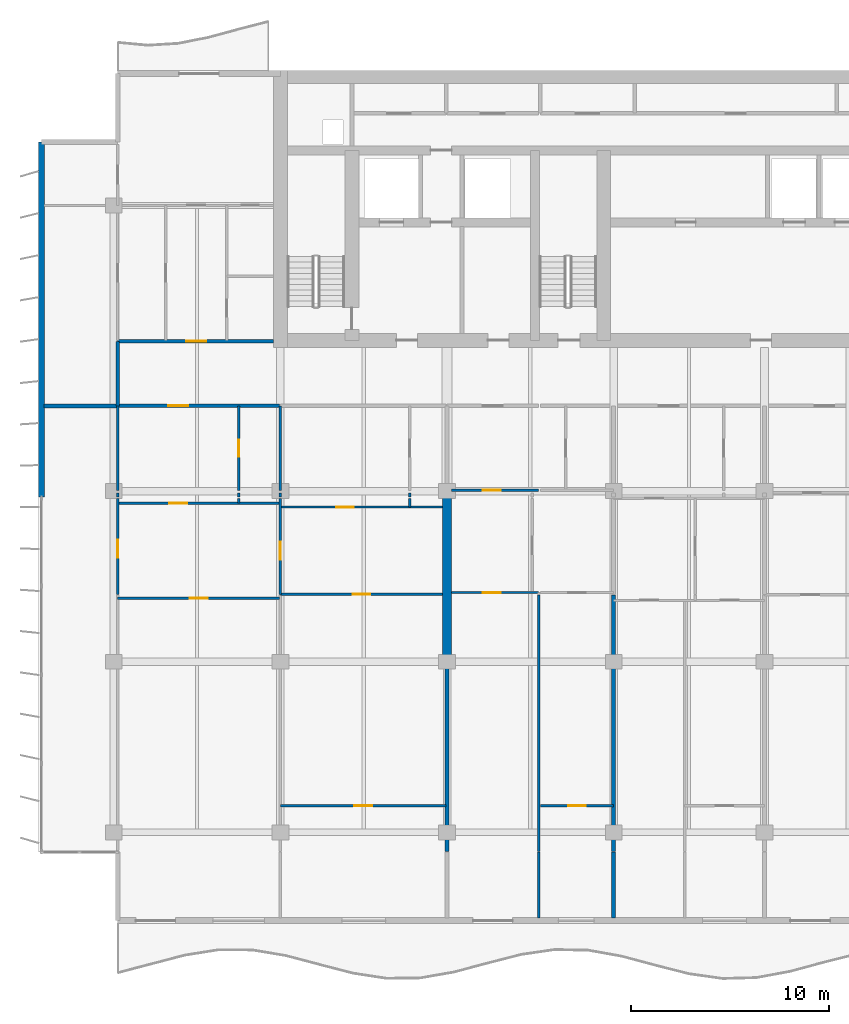
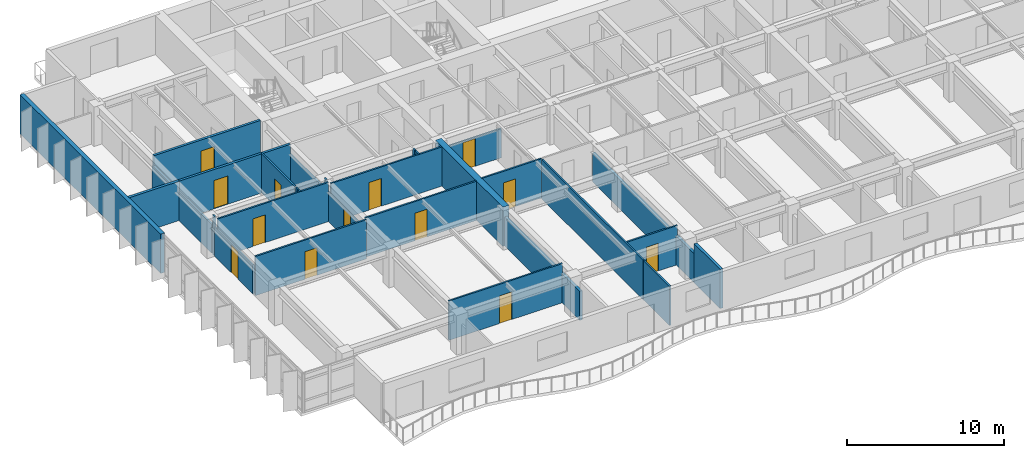
# One storey, part 7 of 18: 30 walls, 13 doors, 13 openings.
"""IFC4 building model written with IfcOpenShell, lengths in metres."""

from ifc_helpers import new_model, si_unit, direction, frame, frame_2d, origin, place, context, subcontext, project, spatial, rectangle, extrude, material, layer, layer_set, type_object, element, fill, save


model = new_model("IFC4")

# Units and contexts
model_context = context("Model", 3, precision=1e-05, world=origin(), true_north=direction((0.0, 1.0)))
body_context = subcontext(model_context, "Body", "Model", "MODEL_VIEW")
ifc_project = project(units=[si_unit("LENGTHUNIT", "METRE"), si_unit("AREAUNIT", "SQUARE_METRE"), si_unit("VOLUMEUNIT", "CUBIC_METRE"), si_unit("PLANEANGLEUNIT", "RADIAN"), si_unit("MASSUNIT", "GRAM", prefix="KILO")], contexts=[model_context])

# Site, building, storey
site_placement = place(None, origin())
site = spatial("IfcSite", under=ifc_project, at=site_placement, CompositionType="ELEMENT")
building_placement = place(site_placement, origin())
building = spatial("IfcBuilding", under=site, at=building_placement, Name="Caelmar Bay Residences", CompositionType="ELEMENT")
storey_placement = place(building_placement, frame((0.0, 0.0, 170.39990234375)))
storey = spatial("IfcBuildingStorey", under=building, at=storey_placement, Name="L47", CompositionType="ELEMENT", Elevation=170.39990234375)

# Walls
ifc_material_1 = material(Name="Concrete f'c 55 MPa (8,000 psi)", Category="concrete")
ifc_layer_1 = layer(ifc_material_1, 0.449951171875)
ifc_layer_set_1 = layer_set([ifc_layer_1], Name="Concrete f'c 55 MPa (8,000 psi)")
wall_type_1 = type_object("IfcWallType", Name="SW-XSLB-450", PredefinedType="SHEAR", material=ifc_layer_set_1)
wall_1_placement = place(storey_placement, frame((26.699951171875, 20.800048828125, 0.0), z_axis=(0.0, 0.0, 1.0), x_axis=(0.0, 1.0, 0.0)))
element("IfcWall", 1, at=wall_1_placement, inside=storey, type_object=wall_type_1, Name="L47 Transverse Cross-Slab Shear Wall W5", PredefinedType="SHEAR", context=body_context, shape_type="SweptSolid", body=[
    extrude(rectangle(XDim=8.599853515625, YDim=0.449951171875, at=frame_2d((4.2998046875, 0.0))), origin(), (0.0, 0.0, 1.0), 3.050048828125),
])
ifc_material_2 = material(Name="Double-stud acoustic fire-rated gypsum partition 180 mm")
ifc_layer_2 = layer(ifc_material_2, 0.179931640625)
ifc_layer_set_2 = layer_set([ifc_layer_2], Name="Double-stud acoustic fire-rated gypsum partition 180 mm")
wall_type_2 = type_object("IfcWallType", Name="W-COR-200", PredefinedType="PARTITIONING", material=ifc_layer_set_2)
wall_2_placement = place(storey_placement, frame((10.10009765625, 33.705078125, 0.0), z_axis=(0.0, 0.0, 1.0), x_axis=(0.0, 1.0, 0.0)))
element("IfcWall", 2, at=wall_2_placement, inside=storey, type_object=wall_type_2, Name="L47 Partition Wall V005", PredefinedType="PARTITIONING", context=body_context, shape_type="SweptSolid", body=[
    extrude(rectangle(XDim=3.244873046875, YDim=0.179931640625, at=frame_2d((1.62255859375, 0.0))), origin(), (0.0, 0.0, 1.0), 2.26318359375),
])

# Wall, opening, door
wall_3_placement = place(storey_placement, frame((10.10498046875, 33.699951171875, 0.0), z_axis=(0.0, 0.0, 1.0), x_axis=(1.0, 0.0, 0.0)))
wall_3 = element("IfcWall", 3, at=wall_3_placement, inside=storey, type_object=wall_type_2, Name="L47 Partition Wall H114", PredefinedType="PARTITIONING", context=body_context, shape_type="SweptSolid", body=[
    extrude(rectangle(XDim=8.14501953125, YDim=0.179931640625, at=frame_2d((4.072509765625, 0.0))), origin(), (0.0, 0.0, 1.0), 3.050048828125),
])
opening_1_placement = place(wall_3_placement, frame((2.54638671875, 0.0, 0.0)))
opening_1 = element("IfcOpeningElement", 4, at=opening_1_placement, cuts=wall_3, Name="Opening D-L47-123", PredefinedType="OPENING", context=body_context, shape_type="SweptSolid", body=[
    extrude(rectangle(XDim=1.0, YDim=2.199951171875, at=frame_2d((0.5, 1.10009765625))), frame((0.0, 0.099853515625, 0.0), z_axis=(0.0, -1.0, 0.0), x_axis=(1.0, 0.0, 0.0)), (0.0, 0.0, 1.0), 0.199951171875),
])
ifc_material_3 = material(Name="Fire-rated steel and walnut architectural door assembly", Category="steel")
ifc_layer_3 = layer(ifc_material_3, 0.050048828125)
ifc_layer_set_3 = layer_set([ifc_layer_3], Name="Fire-rated steel and walnut architectural door assembly")
door_type_1 = type_object("IfcDoorType", Name="D-UNIT-1000", OperationType="NOTDEFINED", PredefinedType="DOOR", material=ifc_layer_set_3)
door_1_placement = place(opening_1_placement, origin())
door_1 = element("IfcDoor", 5, at=door_1_placement, inside=storey, type_object=door_type_1, Name="L47 Residence 01 Apartment Hall Door", OperationType="SINGLE_SWING_RIGHT", OverallHeight=2.199951171875, OverallWidth=1.0, PredefinedType="DOOR", context=body_context, shape_type="SweptSolid", body=[
    extrude(rectangle(XDim=1.0, YDim=2.199951171875, at=frame_2d((0.5, 1.10009765625))), frame((0.0, 0.02490234375, 0.0), z_axis=(0.0, -1.0, 0.0), x_axis=(1.0, 0.0, 0.0)), (0.0, 0.0, 1.0), 0.050048828125),
])
fill(opening_1, door_1)

wall_4_placement = place(storey_placement, frame((10.10009765625, 36.949951171875, 0.0), z_axis=(0.0, 0.0, 1.0), x_axis=(1.0, 0.0, 0.0)))
wall_4 = element("IfcWall", 6, at=wall_4_placement, inside=storey, type_object=wall_type_2, Name="L47 Partition Wall H120", PredefinedType="PARTITIONING", context=body_context, shape_type="SweptSolid", body=[
    extrude(rectangle(XDim=7.844970703125, YDim=0.179931640625, at=frame_2d((3.92236328125, 0.0))), origin(), (0.0, 0.0, 1.0), 3.050048828125),
])
opening_2_placement = place(wall_4_placement, frame((3.4599609375, 0.0, 0.0)))
opening_2 = element("IfcOpeningElement", 7, at=opening_2_placement, cuts=wall_4, Name="Opening D-L47-166", PredefinedType="OPENING", context=body_context, shape_type="SweptSolid", body=[
    extrude(rectangle(XDim=1.0, YDim=2.199951171875, at=frame_2d((0.5, 1.10009765625))), frame((0.0, 0.099853515625, 0.0), z_axis=(0.0, -1.0, 0.0), x_axis=(1.0, 0.0, 0.0)), (0.0, 0.0, 1.0), 0.199951171875),
])
door_2_placement = place(opening_2_placement, origin())
door_2 = element("IfcDoor", 8, at=door_2_placement, inside=storey, type_object=door_type_1, Name="L47 Residence WA Kitchen Door", OperationType="SINGLE_SWING_LEFT", OverallHeight=2.199951171875, OverallWidth=1.0, PredefinedType="DOOR", context=body_context, shape_type="SweptSolid", body=[
    extrude(rectangle(XDim=1.0, YDim=2.199951171875, at=frame_2d((0.5, 1.10009765625))), frame((0.0, 0.02490234375, 0.0), z_axis=(0.0, -1.0, 0.0), x_axis=(1.0, 0.0, 0.0)), (0.0, 0.0, 1.0), 0.050048828125),
])
fill(opening_2, door_2)

# Wall
ifc_material_4 = material(Name="Precast concrete f'c 40 MPa (6,000 psi)", Category="concrete")
ifc_layer_4 = layer(ifc_material_4, 0.300048828125)
ifc_layer_set_4 = layer_set([ifc_layer_4], Name="Precast concrete f'c 40 MPa (6,000 psi)")
wall_type_3 = type_object("IfcWallType", Name="W-EXT-300", PredefinedType="STANDARD", material=ifc_layer_set_4)
wall_5_placement = place(storey_placement, frame((6.25, 29.10009765625, 0.0), z_axis=(0.0, 0.0, 1.0), x_axis=(0.0, 1.0, 0.0)))
element("IfcWall", 9, at=wall_5_placement, inside=storey, type_object=wall_type_3, Name="L47 West Rear Exterior Wall", PredefinedType="STANDARD", context=body_context, shape_type="SweptSolid", body=[
    extrude(rectangle(XDim=17.89990234375, YDim=0.300048828125, at=frame_2d((8.949951171875, 0.0))), origin(), (0.0, 0.0, 1.0), 3.050048828125),
])

# Wall, opening, door
ifc_material_5 = material(Name="Acoustic metal-stud gypsum partition 120 mm")
ifc_layer_5 = layer(ifc_material_5, 0.1201171875)
ifc_layer_set_5 = layer_set([ifc_layer_5], Name="Acoustic metal-stud gypsum partition 120 mm")
wall_type_4 = type_object("IfcWallType", Name="W-PRT-120", PredefinedType="PARTITIONING", material=ifc_layer_set_5)
wall_6_placement = place(storey_placement, frame((10.10009765625, 24.199951171875, 0.0), z_axis=(0.0, 0.0, 1.0), x_axis=(0.0, 1.0, 0.0)))
wall_6 = element("IfcWall", 10, at=wall_6_placement, inside=storey, type_object=wall_type_4, Name="L47 Partition Wall V002", PredefinedType="PARTITIONING", context=body_context, shape_type="SweptSolid", body=[
    extrude(rectangle(XDim=4.840087890625, YDim=0.1201171875, at=frame_2d((2.419921875, 0.0))), origin(), (0.0, 0.0, 1.0), 2.26318359375),
])
opening_3_placement = place(wall_6_placement, frame((1.85009765625, 0.0, 0.0)))
opening_3 = element("IfcOpeningElement", 11, at=opening_3_placement, cuts=wall_6, Name="Opening D-L47-163", PredefinedType="OPENING", context=body_context, shape_type="SweptSolid", body=[
    extrude(rectangle(XDim=0.89990234375, YDim=2.14990234375, at=frame_2d((0.449951171875, 1.074951171875))), frame((0.0, 0.070068359375, 0.0), z_axis=(0.0, -1.0, 0.0), x_axis=(1.0, 0.0, 0.0)), (0.0, 0.0, 1.0), 0.14013671875),
])
ifc_material_6 = material(Name="Solid walnut timber interior door leaf and frame", Category="wood")
ifc_layer_6 = layer(ifc_material_6, 0.050048828125)
ifc_layer_set_6 = layer_set([ifc_layer_6], Name="Solid walnut timber interior door leaf and frame")
door_type_2 = type_object("IfcDoorType", Name="D-ROOM-900", OperationType="NOTDEFINED", PredefinedType="DOOR", material=ifc_layer_set_6)
door_3_placement = place(opening_3_placement, origin())
door_3 = element("IfcDoor", 12, at=door_3_placement, inside=storey, type_object=door_type_2, Name="L47 Residence 01 Penthouse West Salon Door", OperationType="SINGLE_SWING_RIGHT", OverallHeight=2.14990234375, OverallWidth=0.89990234375, PredefinedType="DOOR", context=body_context, shape_type="SweptSolid", body=[
    extrude(rectangle(XDim=0.89990234375, YDim=2.14990234375, at=frame_2d((0.449951171875, 1.074951171875))), frame((0.0, 0.02490234375, 0.0), z_axis=(0.0, -1.0, 0.0), x_axis=(1.0, 0.0, 0.0)), (0.0, 0.0, 1.0), 0.050048828125),
])
fill(opening_3, door_3)

# Walls
wall_7_placement = place(storey_placement, frame((10.10009765625, 29.10009765625, 0.0), z_axis=(0.0, 0.0, 1.0), x_axis=(0.0, 1.0, 0.0)))
element("IfcWall", 13, at=wall_7_placement, inside=storey, type_object=wall_type_4, Name="L47 Partition Wall V003", PredefinedType="PARTITIONING", context=body_context, shape_type="SweptSolid", body=[
    extrude(rectangle(XDim=0.219970703125, YDim=0.1201171875, at=frame_2d((0.10986328125, 0.0))), origin(), (0.0, 0.0, 1.0), 3.050048828125),
])
wall_8_placement = place(storey_placement, frame((10.10009765625, 29.43994140625, 0.0), z_axis=(0.0, 0.0, 1.0), x_axis=(0.0, 1.0, 0.0)))
element("IfcWall", 14, at=wall_8_placement, inside=storey, type_object=wall_type_4, Name="L47 Partition Wall V004", PredefinedType="PARTITIONING", context=body_context, shape_type="SweptSolid", body=[
    extrude(rectangle(XDim=4.260009765625, YDim=0.1201171875, at=frame_2d((2.1298828125, 0.0))), origin(), (0.0, 0.0, 1.0), 2.26318359375),
])
wall_9_placement = place(storey_placement, frame((16.197998046875, 28.800048828125, 0.0), z_axis=(0.0, 0.0, 1.0), x_axis=(0.0, 1.0, 0.0)))
element("IfcWall", 15, at=wall_9_placement, inside=storey, type_object=wall_type_4, Name="L47 Partition Wall V010", PredefinedType="PARTITIONING", context=body_context, shape_type="SweptSolid", body=[
    extrude(rectangle(XDim=0.239990234375, YDim=0.1201171875, at=frame_2d((0.1201171875, 0.0))), origin(), (0.0, 0.0, 1.0), 3.050048828125),
])
wall_10_placement = place(storey_placement, frame((16.197998046875, 29.10009765625, 0.0), z_axis=(0.0, 0.0, 1.0), x_axis=(0.0, 1.0, 0.0)))
element("IfcWall", 16, at=wall_10_placement, inside=storey, type_object=wall_type_4, Name="L47 Partition Wall V011", PredefinedType="PARTITIONING", context=body_context, shape_type="SweptSolid", body=[
    extrude(rectangle(XDim=0.219970703125, YDim=0.1201171875, at=frame_2d((0.10986328125, 0.0))), origin(), (0.0, 0.0, 1.0), 3.050048828125),
])

# Wall, opening, door
wall_11_placement = place(storey_placement, frame((16.197998046875, 29.43994140625, 0.0), z_axis=(0.0, 0.0, 1.0), x_axis=(0.0, 1.0, 0.0)))
wall_11 = element("IfcWall", 17, at=wall_11_placement, inside=storey, type_object=wall_type_4, Name="L47 Partition Wall V012", PredefinedType="PARTITIONING", context=body_context, shape_type="SweptSolid", body=[
    extrude(rectangle(XDim=4.260009765625, YDim=0.1201171875, at=frame_2d((2.1298828125, 0.0))), origin(), (0.0, 0.0, 1.0), 3.050048828125),
])
opening_4_placement = place(wall_11_placement, frame((1.705078125, 0.0, 0.0)))
opening_4 = element("IfcOpeningElement", 18, at=opening_4_placement, cuts=wall_11, Name="Opening D-L47-124", PredefinedType="OPENING", context=body_context, shape_type="SweptSolid", body=[
    extrude(rectangle(XDim=0.85009765625, YDim=2.10009765625, at=frame_2d((0.425048828125, 1.050048828125))), frame((0.0, 0.070068359375, 0.0), z_axis=(0.0, -1.0, 0.0), x_axis=(1.0, 0.0, 0.0)), (0.0, 0.0, 1.0), 0.14013671875),
])
ifc_layer_7 = layer(ifc_material_6, 0.050048828125)
ifc_layer_set_7 = layer_set([ifc_layer_7], Name="Solid walnut timber interior door leaf and frame")
door_type_3 = type_object("IfcDoorType", Name="D-BATH-850", OperationType="NOTDEFINED", PredefinedType="DOOR", material=ifc_layer_set_7)
door_4_placement = place(opening_4_placement, origin())
door_4 = element("IfcDoor", 19, at=door_4_placement, inside=storey, type_object=door_type_3, Name="L47 Residence 01 Guest Bathroom Door", OperationType="SINGLE_SWING_LEFT", OverallHeight=2.10009765625, OverallWidth=0.85009765625, PredefinedType="DOOR", context=body_context, shape_type="SweptSolid", body=[
    extrude(rectangle(XDim=0.85009765625, YDim=2.10009765625, at=frame_2d((0.425048828125, 1.050048828125))), frame((0.0, 0.02490234375, 0.0), z_axis=(0.0, -1.0, 0.0), x_axis=(1.0, 0.0, 0.0)), (0.0, 0.0, 1.0), 0.050048828125),
])
fill(opening_4, door_4)

wall_12_placement = place(storey_placement, frame((18.300048828125, 24.199951171875, 0.0), z_axis=(0.0, 0.0, 1.0), x_axis=(0.0, 1.0, 0.0)))
wall_12 = element("IfcWall", 20, at=wall_12_placement, inside=storey, type_object=wall_type_4, Name="L47 Partition Wall V015", PredefinedType="PARTITIONING", context=body_context, shape_type="SweptSolid", body=[
    extrude(rectangle(XDim=4.840087890625, YDim=0.1201171875, at=frame_2d((2.419921875, 0.0))), origin(), (0.0, 0.0, 1.0), 2.26318359375),
])
opening_5_placement = place(wall_12_placement, frame((1.75, 0.0, 0.0)))
opening_5 = element("IfcOpeningElement", 21, at=opening_5_placement, cuts=wall_12, Name="Opening D-L47-127", PredefinedType="OPENING", context=body_context, shape_type="SweptSolid", body=[
    extrude(rectangle(XDim=0.89990234375, YDim=2.14990234375, at=frame_2d((0.449951171875, 1.074951171875))), frame((0.0, 0.070068359375, 0.0), z_axis=(0.0, -1.0, 0.0), x_axis=(1.0, 0.0, 0.0)), (0.0, 0.0, 1.0), 0.14013671875),
])
door_5_placement = place(opening_5_placement, origin())
door_5 = element("IfcDoor", 22, at=door_5_placement, inside=storey, type_object=door_type_2, Name="L47 Residence 01 Library Study 1 Door", OperationType="SINGLE_SWING_RIGHT", OverallHeight=2.14990234375, OverallWidth=0.89990234375, PredefinedType="DOOR", context=body_context, shape_type="SweptSolid", body=[
    extrude(rectangle(XDim=0.89990234375, YDim=2.14990234375, at=frame_2d((0.449951171875, 1.074951171875))), frame((0.0, 0.02490234375, 0.0), z_axis=(0.0, -1.0, 0.0), x_axis=(1.0, 0.0, 0.0)), (0.0, 0.0, 1.0), 0.050048828125),
])
fill(opening_5, door_5)

# Walls
wall_13_placement = place(storey_placement, frame((18.300048828125, 29.10009765625, 0.0), z_axis=(0.0, 0.0, 1.0), x_axis=(0.0, 1.0, 0.0)))
element("IfcWall", 23, at=wall_13_placement, inside=storey, type_object=wall_type_4, Name="L47 Partition Wall V016", PredefinedType="PARTITIONING", context=body_context, shape_type="SweptSolid", body=[
    extrude(rectangle(XDim=0.219970703125, YDim=0.1201171875, at=frame_2d((0.10986328125, 0.0))), origin(), (0.0, 0.0, 1.0), 3.050048828125),
])
wall_14_placement = place(storey_placement, frame((18.300048828125, 29.43994140625, 0.0), z_axis=(0.0, 0.0, 1.0), x_axis=(0.0, 1.0, 0.0)))
element("IfcWall", 24, at=wall_14_placement, inside=storey, type_object=wall_type_4, Name="L47 Partition Wall V017", PredefinedType="PARTITIONING", context=body_context, shape_type="SweptSolid", body=[
    extrude(rectangle(XDim=4.260009765625, YDim=0.1201171875, at=frame_2d((2.1298828125, 0.0))), origin(), (0.0, 0.0, 1.0), 2.26318359375),
])
wall_15_placement = place(storey_placement, frame((24.818115234375, 28.60009765625, 0.0), z_axis=(0.0, 0.0, 1.0), x_axis=(0.0, 1.0, 0.0)))
element("IfcWall", 25, at=wall_15_placement, inside=storey, type_object=wall_type_4, Name="L47 Partition Wall V019", PredefinedType="PARTITIONING", context=body_context, shape_type="SweptSolid", body=[
    extrude(rectangle(XDim=0.43994140625, YDim=0.1201171875, at=frame_2d((0.219970703125, 0.0))), origin(), (0.0, 0.0, 1.0), 3.050048828125),
])
wall_16_placement = place(storey_placement, frame((24.818115234375, 29.10009765625, 0.0), z_axis=(0.0, 0.0, 1.0), x_axis=(0.0, 1.0, 0.0)))
element("IfcWall", 26, at=wall_16_placement, inside=storey, type_object=wall_type_4, Name="L47 Partition Wall V020", PredefinedType="PARTITIONING", context=body_context, shape_type="SweptSolid", body=[
    extrude(rectangle(XDim=0.219970703125, YDim=0.1201171875, at=frame_2d((0.10986328125, 0.0))), origin(), (0.0, 0.0, 1.0), 3.050048828125),
])
wall_17_placement = place(storey_placement, frame((31.320068359375, 7.89501953125, 0.0), z_axis=(0.0, 0.0, 1.0), x_axis=(0.0, 1.0, 0.0)))
element("IfcWall", 27, at=wall_17_placement, inside=storey, type_object=wall_type_4, Name="L47 Partition Wall V031", PredefinedType="PARTITIONING", context=body_context, shape_type="SweptSolid", body=[
    extrude(rectangle(XDim=3.304931640625, YDim=0.1201171875, at=frame_2d((1.65234375, 0.0))), origin(), (0.0, 0.0, 1.0), 3.050048828125),
])
wall_18_placement = place(storey_placement, frame((31.320068359375, 11.239990234375, 0.0), z_axis=(0.0, 0.0, 1.0), x_axis=(0.0, 1.0, 0.0)))
element("IfcWall", 28, at=wall_18_placement, inside=storey, type_object=wall_type_4, Name="L47 Partition Wall V032", PredefinedType="PARTITIONING", context=body_context, shape_type="SweptSolid", body=[
    extrude(rectangle(XDim=12.929931640625, YDim=0.1201171875, at=frame_2d((6.46484375, 0.0))), origin(), (0.0, 0.0, 1.0), 3.050048828125),
])

# Wall, opening, door
wall_19_placement = place(storey_placement, frame((18.300048828125, 13.550048828125, 0.0), z_axis=(0.0, 0.0, 1.0), x_axis=(1.0, 0.0, 0.0)))
wall_19 = element("IfcWall", 29, at=wall_19_placement, inside=storey, type_object=wall_type_4, Name="L47 Partition Wall H092", PredefinedType="PARTITIONING", context=body_context, shape_type="SweptSolid", body=[
    extrude(rectangle(XDim=8.349853515625, YDim=0.1201171875, at=frame_2d((4.1748046875, 0.0))), origin(), (0.0, 0.0, 1.0), 3.050048828125),
])
opening_6_placement = place(wall_19_placement, frame((3.72509765625, 0.0, 0.0)))
opening_6 = element("IfcOpeningElement", 30, at=opening_6_placement, cuts=wall_19, Name="Opening D-L47-131", PredefinedType="OPENING", context=body_context, shape_type="SweptSolid", body=[
    extrude(rectangle(XDim=0.89990234375, YDim=2.14990234375, at=frame_2d((0.449951171875, 1.074951171875))), frame((0.0, 0.070068359375, 0.0), z_axis=(0.0, -1.0, 0.0), x_axis=(1.0, 0.0, 0.0)), (0.0, 0.0, 1.0), 0.14013671875),
])
door_6_placement = place(opening_6_placement, origin())
door_6 = element("IfcDoor", 31, at=door_6_placement, inside=storey, type_object=door_type_2, Name="L47 Residence 01 Primary Bedroom 1 Door", OperationType="SINGLE_SWING_RIGHT", OverallHeight=2.14990234375, OverallWidth=0.89990234375, PredefinedType="DOOR", context=body_context, shape_type="SweptSolid", body=[
    extrude(rectangle(XDim=0.89990234375, YDim=2.14990234375, at=frame_2d((0.449951171875, 1.074951171875))), frame((0.0, 0.02490234375, 0.0), z_axis=(0.0, -1.0, 0.0), x_axis=(1.0, 0.0, 0.0)), (0.0, 0.0, 1.0), 0.050048828125),
])
fill(opening_6, door_6)

wall_20_placement = place(storey_placement, frame((31.39990234375, 13.550048828125, 0.0), z_axis=(0.0, 0.0, 1.0), x_axis=(1.0, 0.0, 0.0)))
wall_20 = element("IfcWall", 32, at=wall_20_placement, inside=storey, type_object=wall_type_4, Name="L47 Partition Wall H093", PredefinedType="PARTITIONING", context=body_context, shape_type="SweptSolid", body=[
    extrude(rectangle(XDim=3.7001953125, YDim=0.1201171875, at=frame_2d((1.85009765625, 0.0))), origin(), (0.0, 0.0, 1.0), 3.050048828125),
])
opening_7_placement = place(wall_20_placement, frame((1.39990234375, 0.0, 0.0)))
opening_7 = element("IfcOpeningElement", 33, at=opening_7_placement, cuts=wall_20, Name="Opening D-L47-138", PredefinedType="OPENING", context=body_context, shape_type="SweptSolid", body=[
    extrude(rectangle(XDim=0.89990234375, YDim=2.14990234375, at=frame_2d((0.449951171875, 1.074951171875))), frame((0.0, 0.070068359375, 0.0), z_axis=(0.0, -1.0, 0.0), x_axis=(1.0, 0.0, 0.0)), (0.0, 0.0, 1.0), 0.14013671875),
])
door_7_placement = place(opening_7_placement, origin())
door_7 = element("IfcDoor", 34, at=door_7_placement, inside=storey, type_object=door_type_2, Name="L47 Residence 02 Primary Bedroom Door", OperationType="SINGLE_SWING_LEFT", OverallHeight=2.14990234375, OverallWidth=0.89990234375, PredefinedType="DOOR", context=body_context, shape_type="SweptSolid", body=[
    extrude(rectangle(XDim=0.89990234375, YDim=2.14990234375, at=frame_2d((0.449951171875, 1.074951171875))), frame((0.0, 0.02490234375, 0.0), z_axis=(0.0, -1.0, 0.0), x_axis=(1.0, 0.0, 0.0)), (0.0, 0.0, 1.0), 0.050048828125),
])
fill(opening_7, door_7)

wall_21_placement = place(storey_placement, frame((10.10009765625, 24.0, 0.0), z_axis=(0.0, 0.0, 1.0), x_axis=(1.0, 0.0, 0.0)))
wall_21 = element("IfcWall", 35, at=wall_21_placement, inside=storey, type_object=wall_type_4, Name="L47 Partition Wall H098", PredefinedType="PARTITIONING", context=body_context, shape_type="SweptSolid", body=[
    extrude(rectangle(XDim=8.14990234375, YDim=0.1201171875, at=frame_2d((4.074951171875, 0.0))), origin(), (0.0, 0.0, 1.0), 3.050048828125),
])
opening_8_placement = place(wall_21_placement, frame((3.625, 0.0, 0.0)))
opening_8 = element("IfcOpeningElement", 36, at=opening_8_placement, cuts=wall_21, Name="Opening D-L47-126", PredefinedType="OPENING", context=body_context, shape_type="SweptSolid", body=[
    extrude(rectangle(XDim=0.89990234375, YDim=2.14990234375, at=frame_2d((0.449951171875, 1.074951171875))), frame((0.0, 0.070068359375, 0.0), z_axis=(0.0, -1.0, 0.0), x_axis=(1.0, 0.0, 0.0)), (0.0, 0.0, 1.0), 0.14013671875),
])
door_8_placement = place(opening_8_placement, origin())
door_8 = element("IfcDoor", 37, at=door_8_placement, inside=storey, type_object=door_type_2, Name="L47 Residence 01 Penthouse Living Salon Door", OperationType="SINGLE_SWING_LEFT", OverallHeight=2.14990234375, OverallWidth=0.89990234375, PredefinedType="DOOR", context=body_context, shape_type="SweptSolid", body=[
    extrude(rectangle(XDim=0.89990234375, YDim=2.14990234375, at=frame_2d((0.449951171875, 1.074951171875))), frame((0.0, 0.02490234375, 0.0), z_axis=(0.0, -1.0, 0.0), x_axis=(1.0, 0.0, 0.0)), (0.0, 0.0, 1.0), 0.050048828125),
])
fill(opening_8, door_8)

wall_22_placement = place(storey_placement, frame((18.300048828125, 24.199951171875, 0.0), z_axis=(0.0, 0.0, 1.0), x_axis=(1.0, 0.0, 0.0)))
wall_22 = element("IfcWall", 38, at=wall_22_placement, inside=storey, type_object=wall_type_4, Name="L47 Partition Wall H101", PredefinedType="PARTITIONING", context=body_context, shape_type="SweptSolid", body=[
    extrude(rectangle(XDim=8.179931640625, YDim=0.1201171875, at=frame_2d((4.08984375, 0.0))), origin(), (0.0, 0.0, 1.0), 3.050048828125),
])
opening_9_placement = place(wall_22_placement, frame((3.639892578125, 0.0, 0.0)))
opening_9 = element("IfcOpeningElement", 39, at=opening_9_placement, cuts=wall_22, Name="Opening D-L47-130", PredefinedType="OPENING", context=body_context, shape_type="SweptSolid", body=[
    extrude(rectangle(XDim=0.89990234375, YDim=2.14990234375, at=frame_2d((0.449951171875, 1.074951171875))), frame((0.0, 0.070068359375, 0.0), z_axis=(0.0, -1.0, 0.0), x_axis=(1.0, 0.0, 0.0)), (0.0, 0.0, 1.0), 0.14013671875),
])
door_9_placement = place(opening_9_placement, origin())
door_9 = element("IfcDoor", 40, at=door_9_placement, inside=storey, type_object=door_type_2, Name="L47 Residence 01 Penthouse Sitting Salon 1 Door", OperationType="SINGLE_SWING_LEFT", OverallHeight=2.14990234375, OverallWidth=0.89990234375, PredefinedType="DOOR", context=body_context, shape_type="SweptSolid", body=[
    extrude(rectangle(XDim=0.89990234375, YDim=2.14990234375, at=frame_2d((0.449951171875, 1.074951171875))), frame((0.0, 0.02490234375, 0.0), z_axis=(0.0, -1.0, 0.0), x_axis=(1.0, 0.0, 0.0)), (0.0, 0.0, 1.0), 0.050048828125),
])
fill(opening_9, door_9)

wall_23_placement = place(storey_placement, frame((26.919921875, 24.2900390625, 0.0), z_axis=(0.0, 0.0, 1.0), x_axis=(1.0, 0.0, 0.0)))
wall_23 = element("IfcWall", 41, at=wall_23_placement, inside=storey, type_object=wall_type_4, Name="L47 Partition Wall H103", PredefinedType="PARTITIONING", context=body_context, shape_type="SweptSolid", body=[
    extrude(rectangle(XDim=4.400146484375, YDim=0.1201171875, at=frame_2d((2.2001953125, 0.0))), origin(), (0.0, 0.0, 1.0), 3.050048828125),
])
opening_10_placement = place(wall_23_placement, frame((1.5830078125, 0.0, 0.0)))
opening_10 = element("IfcOpeningElement", 42, at=opening_10_placement, cuts=wall_23, Name="Opening D-L47-136", PredefinedType="OPENING", context=body_context, shape_type="SweptSolid", body=[
    extrude(rectangle(XDim=0.89990234375, YDim=2.14990234375, at=frame_2d((0.449951171875, 1.074951171875))), frame((0.0, 0.070068359375, 0.0), z_axis=(0.0, -1.0, 0.0), x_axis=(1.0, 0.0, 0.0)), (0.0, 0.0, 1.0), 0.14013671875),
])
door_10_placement = place(opening_10_placement, origin())
door_10 = element("IfcDoor", 43, at=door_10_placement, inside=storey, type_object=door_type_2, Name="L47 Residence 02 Penthouse Living Salon Door", OperationType="SINGLE_SWING_LEFT", OverallHeight=2.14990234375, OverallWidth=0.89990234375, PredefinedType="DOOR", context=body_context, shape_type="SweptSolid", body=[
    extrude(rectangle(XDim=0.89990234375, YDim=2.14990234375, at=frame_2d((0.449951171875, 1.074951171875))), frame((0.0, 0.02490234375, 0.0), z_axis=(0.0, -1.0, 0.0), x_axis=(1.0, 0.0, 0.0)), (0.0, 0.0, 1.0), 0.050048828125),
])
fill(opening_10, door_10)

wall_24_placement = place(storey_placement, frame((18.300048828125, 28.60009765625, 0.0), z_axis=(0.0, 0.0, 1.0), x_axis=(1.0, 0.0, 0.0)))
wall_24 = element("IfcWall", 44, at=wall_24_placement, inside=storey, type_object=wall_type_4, Name="L47 Partition Wall H105", PredefinedType="PARTITIONING", context=body_context, shape_type="SweptSolid", body=[
    extrude(rectangle(XDim=8.179931640625, YDim=0.1201171875, at=frame_2d((4.08984375, 0.0))), origin(), (0.0, 0.0, 1.0), 3.050048828125),
])
opening_11_placement = place(wall_24_placement, frame((2.80908203125, 0.0, 0.0)))
opening_11 = element("IfcOpeningElement", 45, at=opening_11_placement, cuts=wall_24, Name="Opening D-L47-128", PredefinedType="OPENING", context=body_context, shape_type="SweptSolid", body=[
    extrude(rectangle(XDim=0.89990234375, YDim=2.14990234375, at=frame_2d((0.449951171875, 1.074951171875))), frame((0.0, 0.070068359375, 0.0), z_axis=(0.0, -1.0, 0.0), x_axis=(1.0, 0.0, 0.0)), (0.0, 0.0, 1.0), 0.14013671875),
])
door_11_placement = place(opening_11_placement, origin())
door_11 = element("IfcDoor", 46, at=door_11_placement, inside=storey, type_object=door_type_2, Name="L47 Residence 01 Home Office 1 Door", OperationType="SINGLE_SWING_LEFT", OverallHeight=2.14990234375, OverallWidth=0.89990234375, PredefinedType="DOOR", context=body_context, shape_type="SweptSolid", body=[
    extrude(rectangle(XDim=0.89990234375, YDim=2.14990234375, at=frame_2d((0.449951171875, 1.074951171875))), frame((0.0, 0.02490234375, 0.0), z_axis=(0.0, -1.0, 0.0), x_axis=(1.0, 0.0, 0.0)), (0.0, 0.0, 1.0), 0.050048828125),
])
fill(opening_11, door_11)

wall_25_placement = place(storey_placement, frame((10.10009765625, 28.800048828125, 0.0), z_axis=(0.0, 0.0, 1.0), x_axis=(1.0, 0.0, 0.0)))
wall_25 = element("IfcWall", 47, at=wall_25_placement, inside=storey, type_object=wall_type_4, Name="L47 Partition Wall H107", PredefinedType="PARTITIONING", context=body_context, shape_type="SweptSolid", body=[
    extrude(rectangle(XDim=8.14990234375, YDim=0.1201171875, at=frame_2d((4.074951171875, 0.0))), origin(), (0.0, 0.0, 1.0), 3.050048828125),
])
opening_12_placement = place(wall_25_placement, frame((2.59912109375, 0.0, 0.0)))
opening_12 = element("IfcOpeningElement", 48, at=opening_12_placement, cuts=wall_25, Name="Opening D-L47-125", PredefinedType="OPENING", context=body_context, shape_type="SweptSolid", body=[
    extrude(rectangle(XDim=0.89990234375, YDim=2.14990234375, at=frame_2d((0.449951171875, 1.074951171875))), frame((0.0, 0.070068359375, 0.0), z_axis=(0.0, -1.0, 0.0), x_axis=(1.0, 0.0, 0.0)), (0.0, 0.0, 1.0), 0.14013671875),
])
door_12_placement = place(opening_12_placement, origin())
door_12 = element("IfcDoor", 49, at=door_12_placement, inside=storey, type_object=door_type_2, Name="L47 Residence 01 Kitchen Door", OperationType="SINGLE_SWING_RIGHT", OverallHeight=2.14990234375, OverallWidth=0.89990234375, PredefinedType="DOOR", context=body_context, shape_type="SweptSolid", body=[
    extrude(rectangle(XDim=0.89990234375, YDim=2.14990234375, at=frame_2d((0.449951171875, 1.074951171875))), frame((0.0, 0.02490234375, 0.0), z_axis=(0.0, -1.0, 0.0), x_axis=(1.0, 0.0, 0.0)), (0.0, 0.0, 1.0), 0.050048828125),
])
fill(opening_12, door_12)

wall_26_placement = place(storey_placement, frame((26.919921875, 29.43994140625, 0.0), z_axis=(0.0, 0.0, 1.0), x_axis=(1.0, 0.0, 0.0)))
wall_26 = element("IfcWall", 50, at=wall_26_placement, inside=storey, type_object=wall_type_4, Name="L47 Partition Wall H111", PredefinedType="PARTITIONING", context=body_context, shape_type="SweptSolid", body=[
    extrude(rectangle(XDim=4.400146484375, YDim=0.1201171875, at=frame_2d((2.2001953125, 0.0))), origin(), (0.0, 0.0, 1.0), 2.26318359375),
])
opening_13_placement = place(wall_26_placement, frame((1.5830078125, 0.0, 0.0)))
opening_13 = element("IfcOpeningElement", 51, at=opening_13_placement, cuts=wall_26, Name="Opening D-L47-134", PredefinedType="OPENING", context=body_context, shape_type="SweptSolid", body=[
    extrude(rectangle(XDim=0.89990234375, YDim=2.14990234375, at=frame_2d((0.449951171875, 1.074951171875))), frame((0.0, 0.070068359375, 0.0), z_axis=(0.0, -1.0, 0.0), x_axis=(1.0, 0.0, 0.0)), (0.0, 0.0, 1.0), 0.14013671875),
])
door_13_placement = place(opening_13_placement, origin())
door_13 = element("IfcDoor", 52, at=door_13_placement, inside=storey, type_object=door_type_2, Name="L47 Residence 02 Kitchen Door", OperationType="SINGLE_SWING_LEFT", OverallHeight=2.14990234375, OverallWidth=0.89990234375, PredefinedType="DOOR", context=body_context, shape_type="SweptSolid", body=[
    extrude(rectangle(XDim=0.89990234375, YDim=2.14990234375, at=frame_2d((0.449951171875, 1.074951171875))), frame((0.0, 0.02490234375, 0.0), z_axis=(0.0, -1.0, 0.0), x_axis=(1.0, 0.0, 0.0)), (0.0, 0.0, 1.0), 0.050048828125),
])
fill(opening_13, door_13)

# Walls
ifc_material_7 = material(Name="Acoustic twin-stud fire-rated inter-tenancy partition 200 mm")
ifc_layer_8 = layer(ifc_material_7, 0.199951171875)
ifc_layer_set_8 = layer_set([ifc_layer_8], Name="Acoustic twin-stud fire-rated inter-tenancy partition 200 mm")
wall_type_5 = type_object("IfcWallType", Name="W-PTY-200", PredefinedType="PARTITIONING", material=ifc_layer_set_8)
wall_27_placement = place(storey_placement, frame((26.699951171875, 11.239990234375, 0.0), z_axis=(0.0, 0.0, 1.0), x_axis=(0.0, 1.0, 0.0)))
element("IfcWall", 53, at=wall_27_placement, inside=storey, type_object=wall_type_5, Name="L47 Partition Wall V025", PredefinedType="PARTITIONING", context=body_context, shape_type="SweptSolid", body=[
    extrude(rectangle(XDim=9.554931640625, YDim=0.199951171875, at=frame_2d((4.77734375, 0.0))), origin(), (0.0, 0.0, 1.0), 2.26318359375),
])
wall_28_placement = place(storey_placement, frame((35.10009765625, 7.89501953125, 0.0), z_axis=(0.0, 0.0, 1.0), x_axis=(0.0, 1.0, 0.0)))
element("IfcWall", 54, at=wall_28_placement, inside=storey, type_object=wall_type_5, Name="L47 Partition Wall V036", PredefinedType="PARTITIONING", context=body_context, shape_type="SweptSolid", body=[
    extrude(rectangle(XDim=3.304931640625, YDim=0.199951171875, at=frame_2d((1.65234375, 0.0))), origin(), (0.0, 0.0, 1.0), 3.050048828125),
])
wall_29_placement = place(storey_placement, frame((35.10009765625, 11.239990234375, 0.0), z_axis=(0.0, 0.0, 1.0), x_axis=(0.0, 1.0, 0.0)))
element("IfcWall", 55, at=wall_29_placement, inside=storey, type_object=wall_type_5, Name="L47 Partition Wall V037", PredefinedType="PARTITIONING", context=body_context, shape_type="SweptSolid", body=[
    extrude(rectangle(XDim=12.929931640625, YDim=0.199951171875, at=frame_2d((6.46484375, 0.0))), origin(), (0.0, 0.0, 1.0), 2.26318359375),
])
wall_30_placement = place(storey_placement, frame((6.39501953125, 33.699951171875, 0.0), z_axis=(0.0, 0.0, 1.0), x_axis=(1.0, 0.0, 0.0)))
element("IfcWall", 56, at=wall_30_placement, inside=storey, type_object=wall_type_5, Name="L47 Partition Wall H113", PredefinedType="PARTITIONING", context=body_context, shape_type="SweptSolid", body=[
    extrude(rectangle(XDim=3.705078125, YDim=0.199951171875, at=frame_2d((1.8525390625, 0.0))), origin(), (0.0, 0.0, 1.0), 3.050048828125),
])

save(model, "model.ifc")
